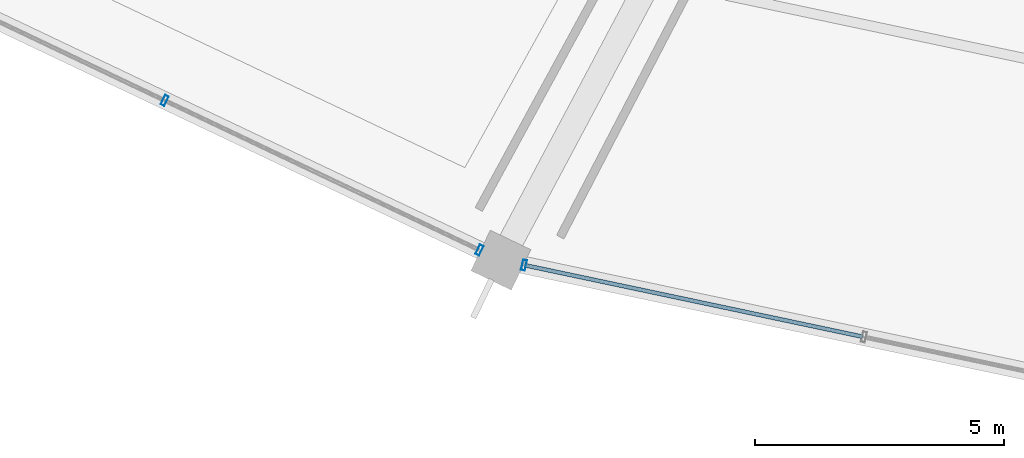
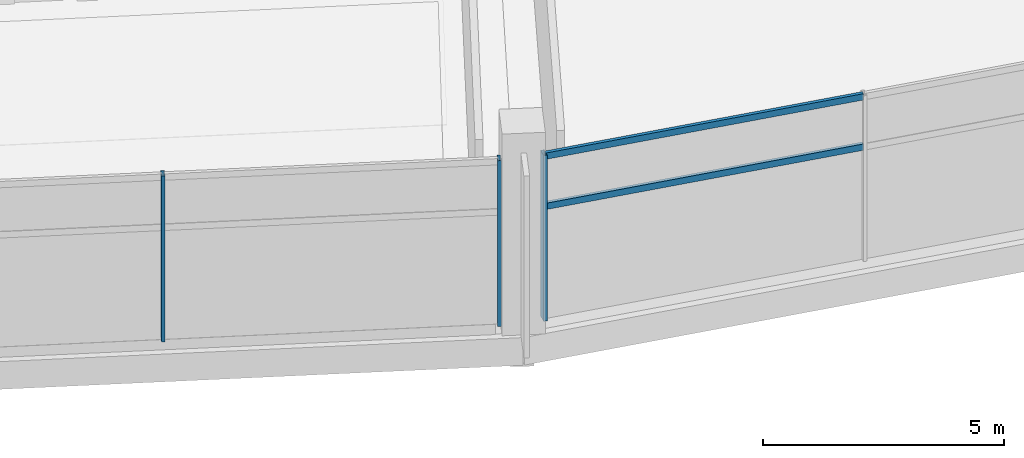
# One storey, part 4 of 184: 5 members, 2 elements without a shape of their own.
"""IFC4 building model written with IfcOpenShell, lengths in metres."""

from ifc_helpers import new_model, si_unit, direction, frame, origin, origin_2d, place, context, subcontext, project, spatial, hollow_rectangle, extrude, material, layer, layer_set, material_profile, profile_set, type_object, element, aggregate, save


model = new_model("IFC4")

# Units and contexts
model_context = context("Model", 3, precision=1e-05, world=origin(), true_north=direction((0.0, 1.0)))
body_context = subcontext(model_context, "Body", "Model", "MODEL_VIEW")
ifc_project = project(units=[si_unit("LENGTHUNIT", "METRE"), si_unit("AREAUNIT", "SQUARE_METRE"), si_unit("VOLUMEUNIT", "CUBIC_METRE"), si_unit("PLANEANGLEUNIT", "RADIAN"), si_unit("MASSUNIT", "GRAM", prefix="KILO")], contexts=[model_context])

# Site, building, storey
site_placement = place(None, origin())
site = spatial("IfcSite", under=ifc_project, at=site_placement, CompositionType="ELEMENT")
building_placement = place(site_placement, origin())
building = spatial("IfcBuilding", under=site, at=building_placement, Name="Kazemori Nagisa Stadium", CompositionType="ELEMENT")
storey_placement = place(building_placement, frame((0.0, 0.0, 10.5400390625)))
storey = spatial("IfcBuildingStorey", under=building, at=storey_placement, Name="L02", CompositionType="ELEMENT", Elevation=10.5400390625)

# Curtain wall, members
ifc_material_1 = material(Name="Anodised aluminium 6063-T5", Category="aluminium")
ifc_layer = layer(ifc_material_1, 0.2099609375, Name="Anodised aluminium 6063-T5", Category="aluminium")
ifc_layer_set = layer_set([ifc_layer], Name="Anodised aluminium 6063-T5")
curtain_wall_type = type_object("IfcCurtainWallType", Name="CW_L02R3_105", PredefinedType="USERDEFINED", material=ifc_layer_set)
curtain_wall_1_placement = place(storey_placement, origin())
curtain_wall_1 = element("IfcCurtainWall", 1, at=curtain_wall_1_placement, inside=storey, type_object=curtain_wall_type, Name="Unitised curtain wall CW-L02R3-105 L02", ObjectType="UNITISED CURTAIN WALL", PredefinedType="USERDEFINED")
ifc_material_2 = material(Name="Aluminium 6063-T5 anodised", Category="aluminium")
ifc_material_profile_1 = material_profile(ifc_material_2, hollow_rectangle(XDim=0.080078125, YDim=0.2099609375, WallThickness=0.0048828125, at=origin_2d()), Name="ALU-MULL-80x210x5")
ifc_profile_set_1 = profile_set([ifc_material_profile_1], Name="Aluminium 6063-T5 anodised")
member_type_1 = type_object("IfcMemberType", Name="Mullion_M02", PredefinedType="MULLION", material=ifc_profile_set_1)
member_1_placement = place(storey_placement, frame((73.45458984375, 24.73876953125, 0.0), z_axis=(0.0, 0.0, 1.0), x_axis=(0.903215892654, -0.429186499388, 0.0)))
member_1 = element("IfcMember", 2, at=member_1_placement, type_object=member_type_1, Name="Curtain wall mullion CW-L02R3-105-M3", PredefinedType="MULLION", context=body_context, shape_type="SweptSolid", body=[
    extrude(hollow_rectangle(XDim=0.080078125, YDim=0.2099609375, WallThickness=0.0048828125, at=origin_2d()), origin(), (0.0, 0.0, 1.0), 4.18994140625),
])
member_2_placement = place(storey_placement, frame((79.766357421875, 21.739501953125, 0.0), z_axis=(0.0, 0.0, 1.0), x_axis=(0.903215892654, -0.429186499388, 0.0)))
member_2 = element("IfcMember", 3, at=member_2_placement, type_object=member_type_1, Name="Curtain wall mullion CW-L02R3-105-M4", PredefinedType="MULLION", context=body_context, shape_type="SweptSolid", body=[
    extrude(hollow_rectangle(XDim=0.080078125, YDim=0.2099609375, WallThickness=0.0048828125, at=origin_2d()), origin(), (0.0, 0.0, 1.0), 4.18994140625),
])
aggregate(curtain_wall_1, [member_1, member_2])

curtain_wall_2_placement = place(storey_placement, origin())
curtain_wall_2 = element("IfcCurtainWall", 4, at=curtain_wall_2_placement, inside=storey, type_object=curtain_wall_type, Name="Unitised curtain wall CW-L02R3-105 L02", ObjectType="UNITISED CURTAIN WALL", PredefinedType="USERDEFINED")
member_3_placement = place(storey_placement, frame((80.659912109375, 21.4375, 0.0), z_axis=(0.0, 0.0, 1.0), x_axis=(0.978344955407, -0.206981033502, 0.0)))
member_3 = element("IfcMember", 5, at=member_3_placement, type_object=member_type_1, Name="Curtain wall mullion CW-L02R3-105-M1", PredefinedType="MULLION", context=body_context, shape_type="SweptSolid", body=[
    extrude(hollow_rectangle(XDim=0.080078125, YDim=0.2099609375, WallThickness=0.0048828125, at=origin_2d()), origin(), (0.0, 0.0, 1.0), 4.18994140625),
])
ifc_material_profile_2 = material_profile(ifc_material_2, hollow_rectangle(XDim=0.080078125, YDim=0.159912109375, WallThickness=0.00390625, at=origin_2d()), Name="ALU-TRAN-80x160x4")
ifc_profile_set_2 = profile_set([ifc_material_profile_2], Name="Aluminium 6063-T5 anodised")
member_type_2 = type_object("IfcMemberType", Name="Transom_T02", PredefinedType="USERDEFINED", material=ifc_profile_set_2)
member_4_placement = place(storey_placement, frame((80.679443359375, 21.433349609375, 2.84912109375), z_axis=(0.97834174255, -0.206996219252, 0.0), x_axis=(0.206996219252, 0.97834174255, 0.0)))
member_4 = element("IfcMember", 6, at=member_4_placement, type_object=member_type_2, Name="Curtain wall transom CW-L02R3-105-T1-mid", ObjectType="TRANSOM", PredefinedType="USERDEFINED", context=body_context, shape_type="SweptSolid", body=[
    extrude(hollow_rectangle(XDim=0.080078125, YDim=0.159912109375, WallThickness=0.00390625, at=origin_2d()), origin(), (0.0, 0.0, 1.0), 6.9267578125),
])
member_5_placement = place(storey_placement, frame((80.679443359375, 21.433349609375, 4.119873046875), z_axis=(0.97834174255, -0.206996219252, 0.0), x_axis=(0.206996219252, 0.97834174255, 0.0)))
member_5 = element("IfcMember", 7, at=member_5_placement, type_object=member_type_2, Name="Curtain wall transom CW-L02R3-105-T1-head", ObjectType="TRANSOM", PredefinedType="USERDEFINED", context=body_context, shape_type="SweptSolid", body=[
    extrude(hollow_rectangle(XDim=0.080078125, YDim=0.159912109375, WallThickness=0.00390625, at=origin_2d()), origin(), (0.0, 0.0, 1.0), 6.9267578125),
])
aggregate(curtain_wall_2, [member_3, member_4, member_5])

save(model, "model.ifc")
